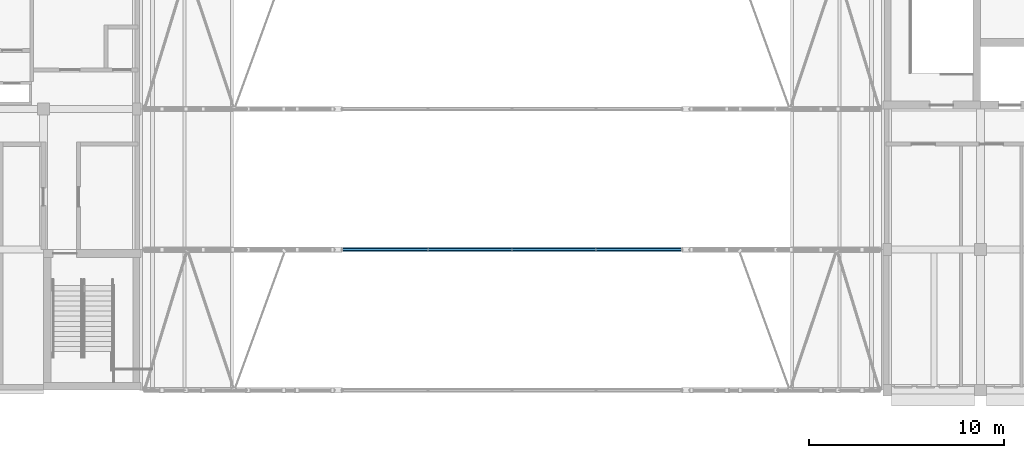
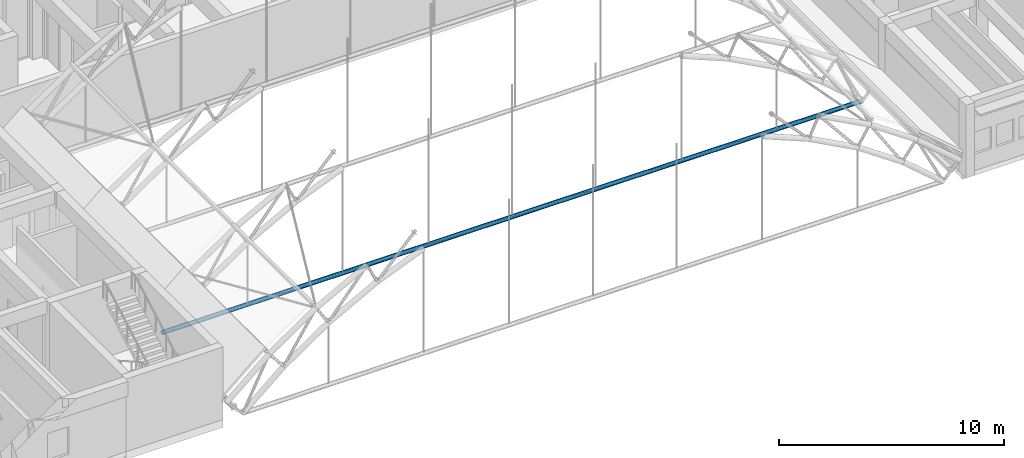
# One storey, part 13 of 101: 1 member.
"""IFC4 building model written with IfcOpenShell, lengths in metres."""

from ifc_helpers import new_model, si_unit, direction, frame, origin, origin_2d, place, context, subcontext, project, spatial, hollow_circle, extrude, material, material_profile, profile_set, type_object, element, save


model = new_model("IFC4")

# Units and contexts
model_context = context("Model", 3, precision=1e-05, world=origin(), true_north=direction((0.0, 1.0)))
body_context = subcontext(model_context, "Body", "Model", "MODEL_VIEW")
ifc_project = project(units=[si_unit("LENGTHUNIT", "METRE"), si_unit("AREAUNIT", "SQUARE_METRE"), si_unit("VOLUMEUNIT", "CUBIC_METRE"), si_unit("PLANEANGLEUNIT", "RADIAN"), si_unit("MASSUNIT", "GRAM", prefix="KILO")], contexts=[model_context])

# Site, building, storey
site_placement = place(None, origin())
site = spatial("IfcSite", under=ifc_project, at=site_placement, CompositionType="ELEMENT")
building_placement = place(site_placement, origin())
building = spatial("IfcBuilding", under=site, at=building_placement, Name="Laocheng Heights Fire and Rescue Headquarters", CompositionType="ELEMENT")
storey_placement = place(building_placement, frame((0.0, 0.0, 8.39990234375)))
storey = spatial("IfcBuildingStorey", under=building, at=storey_placement, Name="L02", CompositionType="ELEMENT", Elevation=8.39990234375)

# Member
ifc_material = material(Name="Steel Q355B", Category="steel")
ifc_material_profile = material_profile(ifc_material, hollow_circle(Radius=0.109619140625, WallThickness=0.010009765625, at=origin_2d()), Name="CHS 219x10")
ifc_profile_set = profile_set([ifc_material_profile], Name="Steel Q355B")
member_type = type_object("IfcMemberType", Name="BAY ROOF TIE CHS 219x10", PredefinedType="CHORD", material=ifc_profile_set)
member_placement = place(storey_placement, frame((18.0, 7.199951171875, 0.0), z_axis=(1.0, 0.0, 0.0), x_axis=(0.0, 1.0, 0.0)))
element("IfcMember", 1, at=member_placement, inside=storey, type_object=member_type, Name="Truss TR2 tie", PredefinedType="CHORD", context=body_context, shape_type="SweptSolid", body=[
    extrude(hollow_circle(Radius=0.109619140625, WallThickness=0.010009765625, at=origin_2d()), origin(), (0.0, 0.0, 1.0), 36.0),
])

save(model, "model.ifc")
